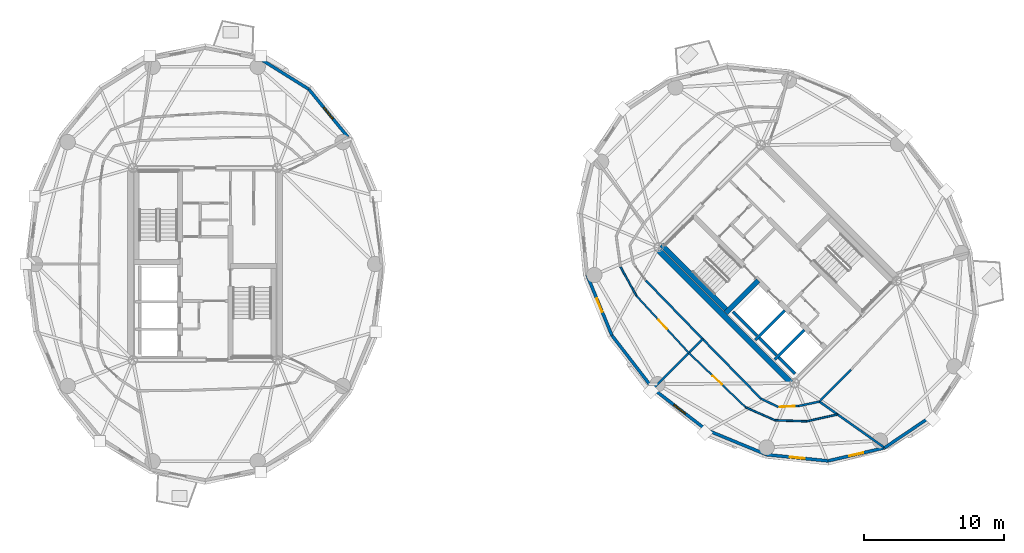
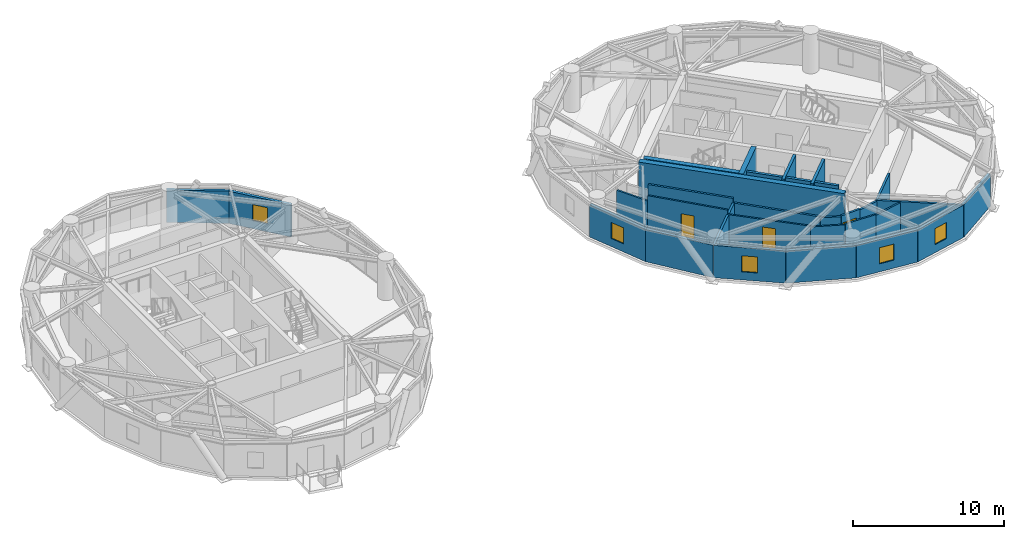
# One storey, part 10 of 16: 31 walls, 5 windows, 3 doors, 8 openings.
"""IFC4 building model written with IfcOpenShell, lengths in metres."""

from ifc_helpers import new_model, si_unit, direction, frame, frame_2d, origin, place, context, subcontext, project, spatial, rectangle, extrude, source, transform, mapped, material, layer, layer_set, type_object, element, fill, save


model = new_model("IFC4")

# Units and contexts
model_context = context("Model", 3, precision=1e-05, world=origin(), true_north=direction((0.0, 1.0)))
body_context = subcontext(model_context, "Body", "Model", "MODEL_VIEW")
ifc_project = project(units=[si_unit("LENGTHUNIT", "METRE"), si_unit("AREAUNIT", "SQUARE_METRE"), si_unit("VOLUMEUNIT", "CUBIC_METRE"), si_unit("PLANEANGLEUNIT", "RADIAN"), si_unit("MASSUNIT", "GRAM", prefix="KILO")], contexts=[model_context])

# Site, building, storey
site_placement = place(None, origin())
site = spatial("IfcSite", under=ifc_project, at=site_placement, CompositionType="ELEMENT")
building_placement = place(site_placement, origin())
building = spatial("IfcBuilding", under=site, at=building_placement, Name="Cununo Teusaquillo Station Towers", CompositionType="ELEMENT")
storey_placement = place(building_placement, frame((0.0, 0.0, 226.050048828125)))
storey = spatial("IfcBuildingStorey", under=building, at=storey_placement, Name="L72", CompositionType="ELEMENT", Elevation=226.050048828125)

# Walls
ifc_material_1 = material(Name="Concrete C50/60", Category="concrete")
ifc_layer_1 = layer(ifc_material_1, 0.199951171875)
ifc_layer_set_1 = layer_set([ifc_layer_1], Name="Concrete C50/60")
wall_type_1 = type_object("IfcWallType", Name="WL-CORE-200", PredefinedType="SHEAR", material=ifc_layer_set_1)
wall_1_placement = place(storey_placement, frame((55.8876953125, 19.0693359375, 0.0), z_axis=(0.0, 0.0, 1.0), x_axis=(0.707106781187, 0.707106781187, 0.0)))
element("IfcWall", 1, at=wall_1_placement, inside=storey, type_object=wall_type_1, Name="L72 Tower B Firefighting Lift Shaft South Shear Wall", PredefinedType="SHEAR", context=body_context, shape_type="SweptSolid", body=[
    extrude(rectangle(XDim=2.969970703125, YDim=0.199951171875, at=frame_2d((1.48486328125, 0.0))), origin(), (0.0, 0.0, 1.0), 3.199951171875),
])
wall_2_placement = place(storey_placement, frame((56.01513671875, 19.366455078125, 0.0), z_axis=(0.0, 0.0, 1.0), x_axis=(-0.707106781187, 0.707106781187, 0.0)))
element("IfcWall", 2, at=wall_2_placement, inside=storey, type_object=wall_type_1, Name="L72 Tower B Firefighting Lift Shaft Rear Shear Wall", PredefinedType="SHEAR", context=body_context, shape_type="SweptSolid", body=[
    extrude(rectangle(XDim=2.43994140625, YDim=0.199951171875, at=frame_2d((1.219970703125, 0.0))), origin(), (0.0, 0.0, 1.0), 3.199951171875),
])
wall_3_placement = place(storey_placement, frame((57.2841796875, 17.6728515625, 0.0), z_axis=(0.0, 0.0, 1.0), x_axis=(0.707147878904, 0.70706568108, 0.0)))
element("IfcWall", 3, at=wall_3_placement, inside=storey, type_object=wall_type_1, Name="L72 Tower B High-Rise Lift Hoistway Divider Shear Wall", PredefinedType="SHEAR", context=body_context, shape_type="SweptSolid", body=[
    extrude(rectangle(XDim=2.97021484375, YDim=0.199951171875, at=frame_2d((1.485107421875, 0.0))), origin(), (0.0, 0.0, 1.0), 3.199951171875),
])
wall_4_placement = place(storey_placement, frame((57.41162109375, 17.969970703125, 0.0), z_axis=(0.0, 0.0, 1.0), x_axis=(-0.707106781187, 0.707106781187, 0.0)))
element("IfcWall", 4, at=wall_4_placement, inside=storey, type_object=wall_type_1, Name="L72 Tower B High-Rise Lift 2 Shaft Rear Shear Wall", PredefinedType="SHEAR", context=body_context, shape_type="SweptSolid", body=[
    extrude(rectangle(XDim=1.73486328125, YDim=0.199951171875, at=frame_2d((0.867431640625, 0.0))), origin(), (0.0, 0.0, 1.0), 3.199951171875),
])
wall_5_placement = place(storey_placement, frame((58.7373046875, 16.64404296875, 0.0), z_axis=(0.0, 0.0, 1.0), x_axis=(-0.707032117043, 0.707181437447, 0.0)))
element("IfcWall", 5, at=wall_5_placement, inside=storey, type_object=wall_type_1, Name="L72 Tower B High-Rise Lift 1 Shaft Rear Shear Wall", PredefinedType="SHEAR", context=body_context, shape_type="SweptSolid", body=[
    extrude(rectangle(XDim=1.635009765625, YDim=0.199951171875, at=frame_2d((0.8173828125, 0.0))), origin(), (0.0, 0.0, 1.0), 3.199951171875),
])
ifc_material_2 = material(Name="Concrete C50/60", Category="concrete")
ifc_layer_2 = layer(ifc_material_2, 0.35009765625)
ifc_layer_set_2 = layer_set([ifc_layer_2], Name="Concrete C50/60")
wall_type_2 = type_object("IfcWallType", Name="WL-CORE-350", PredefinedType="SHEAR", material=ifc_layer_set_2)
wall_6_placement = place(storey_placement, frame((53.922119140625, 21.14111328125, 0.0), z_axis=(0.0, 0.0, 1.0), x_axis=(-0.707106781187, 0.707106781187, 0.0)))
element("IfcWall", 6, at=wall_6_placement, inside=storey, type_object=wall_type_2, Name="L72 Tower B Core Shear Wall ST1W", PredefinedType="SHEAR", context=body_context, shape_type="SweptSolid", body=[
    extrude(rectangle(XDim=6.695068359375, YDim=0.35009765625, at=frame_2d((3.34765625, 0.0))), origin(), (0.0, 0.0, 1.0), 3.199951171875),
])
wall_7_placement = place(storey_placement, frame((53.7841796875, 21.00341796875, 0.0), z_axis=(0.0, 0.0, 1.0), x_axis=(0.707106781187, 0.707106781187, 0.0)))
element("IfcWall", 7, at=wall_7_placement, inside=storey, type_object=wall_type_2, Name="L72 Tower B Core Shear Wall ST1S", PredefinedType="SHEAR", context=body_context, shape_type="SweptSolid", body=[
    extrude(rectangle(XDim=3.284912109375, YDim=0.35009765625, at=frame_2d((1.642578125, 0.0))), origin(), (0.0, 0.0, 1.0), 3.199951171875),
])
ifc_material_3 = material(Name="Concrete C50/60", Category="concrete")
ifc_layer_3 = layer(ifc_material_3, 0.39990234375)
ifc_layer_set_3 = layer_set([ifc_layer_3], Name="Concrete C50/60")
wall_type_3 = type_object("IfcWallType", Name="WL-CORE-400", PredefinedType="SHEAR", material=ifc_layer_set_3)
wall_8_placement = place(storey_placement, frame((58.7021484375, 15.73193359375, 0.0), z_axis=(0.0, 0.0, 1.0), x_axis=(-0.707106781187, 0.707106781187, 0.0)))
element("IfcWall", 8, at=wall_8_placement, inside=storey, type_object=wall_type_3, Name="L72 Tower B Core Shear Wall W", PredefinedType="SHEAR", context=body_context, shape_type="SweptSolid", body=[
    extrude(rectangle(XDim=14.10009765625, YDim=0.39990234375, at=frame_2d((7.050048828125, 0.0))), origin(), (0.0, 0.0, 1.0), 3.199951171875),
])

# Wall, opening, window
ifc_material_4 = material(Name="Precast concrete C40/50", Category="concrete")
ifc_layer_4 = layer(ifc_material_4, 0.219970703125)
ifc_layer_set_4 = layer_set([ifc_layer_4], Name="Precast concrete C40/50")
wall_type_4 = type_object("IfcWallType", Name="WL-EXT-220", PredefinedType="SOLIDWALL", material=ifc_layer_set_4)
wall_9_placement = place(storey_placement, frame((23.923583984375, 37.015380859375, 0.0), z_axis=(0.0, 0.0, 1.0), x_axis=(0.632467166636, -0.774587169483, 0.0)))
wall_9 = element("IfcWall", 9, at=wall_9_placement, inside=storey, type_object=wall_type_4, Name="L72 Tower A Exterior Facade Wall C02", PredefinedType="SOLIDWALL", context=body_context, shape_type="SweptSolid", body=[
    extrude(rectangle(XDim=4.418212890625, YDim=0.219970703125, at=frame_2d((2.208984375, 0.0))), origin(), (0.0, 0.0, 1.0), 2.612060546875),
])
shared_shape_1 = source(origin(), body_context, "Body", "SweptSolid", [
    extrude(rectangle(XDim=1.050048828125, YDim=1.300048828125, at=frame_2d((0.52490234375, 0.64990234375))), frame((0.0, 0.119873046875, 0.0), z_axis=(0.0, -1.0, 0.0), x_axis=(1.0, 0.0, 0.0)), (0.0, 0.0, 1.0), 0.239990234375),
])
opening_1_placement = place(wall_9_placement, frame((1.68408203125, 0.0, 0.64990234375)))
opening_1 = element("IfcOpeningElement", 10, at=opening_1_placement, cuts=wall_9, Name="Opening WN-04", PredefinedType="OPENING", context=body_context, shape_type="MappedRepresentation", body=[
    mapped(shared_shape_1, transform((0.0, 0.0, 0.0), x_axis=(1.0, 0.0, 0.0), y_axis=(0.0, 1.0, 0.0), z_axis=(0.0, 0.0, 1.0), scale=1.0)),
])
ifc_material_5 = material(Name="Operable acoustic tinted low-E double glazing", Category="glass")
window_type = type_object("IfcWindowType", Name="WIN-BAL-1050", PartitioningType="SINGLE_PANEL", PredefinedType="WINDOW", material=ifc_material_5)
shared_shape_2 = source(origin(), body_context, "Body", "SweptSolid", [
    extrude(rectangle(XDim=1.050048828125, YDim=1.300048828125, at=frame_2d((0.52490234375, 0.64990234375))), frame((0.0, 0.030029296875, 0.0), z_axis=(0.0, -1.0, 0.0), x_axis=(1.0, 0.0, 0.0)), (0.0, 0.0, 1.0), 0.06005859375),
])
window_1_placement = place(opening_1_placement, origin())
window_1 = element("IfcWindow", 11, at=window_1_placement, inside=storey, type_object=window_type, Name="L72 Tower A Facade Window C02", OverallHeight=1.300048828125, OverallWidth=1.050048828125, PartitioningType="SINGLE_PANEL", PredefinedType="WINDOW", context=body_context, shape_type="MappedRepresentation", body=[
    mapped(shared_shape_2, transform((0.0, 0.0, 0.0), x_axis=(1.0, 0.0, 0.0), y_axis=(0.0, 1.0, 0.0), z_axis=(0.0, 0.0, 1.0), scale=1.0)),
])
fill(opening_1, window_1)

# Wall
wall_10_placement = place(storey_placement, frame((20.40283203125, 39.212890625, 0.0), z_axis=(0.0, 0.0, 1.0), x_axis=(0.848318713376, -0.529485939886, 0.0)))
element("IfcWall", 12, at=wall_10_placement, inside=storey, type_object=wall_type_4, Name="L72 Tower A Exterior Facade Wall C03", PredefinedType="SOLIDWALL", context=body_context, shape_type="SweptSolid", body=[
    extrude(rectangle(XDim=4.150390625, YDim=0.219970703125, at=frame_2d((2.0751953125, 0.0))), origin(), (0.0, 0.0, 1.0), 2.612060546875),
])

# Wall, opening, window
wall_11_placement = place(storey_placement, frame((45.626220703125, 19.38671875, 0.0), z_axis=(0.0, 0.0, 1.0), x_axis=(-0.381309704956, 0.924447353237, 0.0)))
wall_11 = element("IfcWall", 13, at=wall_11_placement, inside=storey, type_object=wall_type_4, Name="L72 Tower B Exterior Facade Wall C08", PredefinedType="SOLIDWALL", context=body_context, shape_type="SweptSolid", body=[
    extrude(rectangle(XDim=4.670654296875, YDim=0.219970703125, at=frame_2d((2.33544921875, 0.0))), origin(), (0.0, 0.0, 1.0), 2.612060546875),
])
opening_2_placement = place(wall_11_placement, frame((1.81005859375, 0.0, 0.64990234375)))
opening_2 = element("IfcOpeningElement", 14, at=opening_2_placement, cuts=wall_11, Name="Opening WN-04", PredefinedType="OPENING", context=body_context, shape_type="MappedRepresentation", body=[
    mapped(shared_shape_1, transform((0.0, 0.0, 0.0), x_axis=(1.0, 0.0, 0.0), y_axis=(0.0, 1.0, 0.0), z_axis=(0.0, 0.0, 1.0), scale=1.0)),
])
window_2_placement = place(opening_2_placement, origin())
window_2 = element("IfcWindow", 15, at=window_2_placement, inside=storey, type_object=window_type, Name="L72 Tower B Facade Window C08", OverallHeight=1.300048828125, OverallWidth=1.050048828125, PartitioningType="SINGLE_PANEL", PredefinedType="WINDOW", context=body_context, shape_type="MappedRepresentation", body=[
    mapped(shared_shape_2, transform((0.0, 0.0, 0.0), x_axis=(1.0, 0.0, 0.0), y_axis=(0.0, 1.0, 0.0), z_axis=(0.0, 0.0, 1.0), scale=1.0)),
])
fill(opening_2, window_2)

# Wall
wall_12_placement = place(storey_placement, frame((48.569091796875, 15.569091796875, 0.0), z_axis=(0.0, 0.0, 1.0), x_axis=(-0.610523083886, 0.791998462147, 0.0)))
element("IfcWall", 16, at=wall_12_placement, inside=storey, type_object=wall_type_4, Name="L72 Tower B Exterior Facade Wall C09", PredefinedType="SOLIDWALL", context=body_context, shape_type="SweptSolid", body=[
    extrude(rectangle(XDim=4.8203125, YDim=0.219970703125, at=frame_2d((2.41015625, 0.0))), origin(), (0.0, 0.0, 1.0), 2.612060546875),
])

# Wall, opening, window
wall_13_placement = place(storey_placement, frame((52.38671875, 12.626220703125, 0.0), z_axis=(0.0, 0.0, 1.0), x_axis=(-0.791998462147, 0.610523083886, 0.0)))
wall_13 = element("IfcWall", 17, at=wall_13_placement, inside=storey, type_object=wall_type_4, Name="L72 Tower B Exterior Facade Wall C10", PredefinedType="SOLIDWALL", context=body_context, shape_type="SweptSolid", body=[
    extrude(rectangle(XDim=4.8203125, YDim=0.219970703125, at=frame_2d((2.41015625, 0.0))), origin(), (0.0, 0.0, 1.0), 2.612060546875),
])
opening_3_placement = place(wall_13_placement, frame((1.885009765625, 0.0, 0.64990234375)))
opening_3 = element("IfcOpeningElement", 18, at=opening_3_placement, cuts=wall_13, Name="Opening WN-04", PredefinedType="OPENING", context=body_context, shape_type="MappedRepresentation", body=[
    mapped(shared_shape_1, transform((0.0, 0.0, 0.0), x_axis=(1.0, 0.0, 0.0), y_axis=(0.0, 1.0, 0.0), z_axis=(0.0, 0.0, 1.0), scale=1.0)),
])
window_3_placement = place(opening_3_placement, origin())
window_3 = element("IfcWindow", 19, at=window_3_placement, inside=storey, type_object=window_type, Name="L72 Tower B Facade Window C10", OverallHeight=1.300048828125, OverallWidth=1.050048828125, PartitioningType="SINGLE_PANEL", PredefinedType="WINDOW", context=body_context, shape_type="MappedRepresentation", body=[
    mapped(shared_shape_2, transform((0.0, 0.0, 0.0), x_axis=(1.0, 0.0, 0.0), y_axis=(0.0, 1.0, 0.0), z_axis=(0.0, 0.0, 1.0), scale=1.0)),
])
fill(opening_3, window_3)

# Wall
wall_14_placement = place(storey_placement, frame((56.70458984375, 10.84521484375, 0.0), z_axis=(0.0, 0.0, 1.0), x_axis=(-0.924447353237, 0.381309704956, 0.0)))
element("IfcWall", 20, at=wall_14_placement, inside=storey, type_object=wall_type_4, Name="L72 Tower B Exterior Facade Wall C11", PredefinedType="SOLIDWALL", context=body_context, shape_type="SweptSolid", body=[
    extrude(rectangle(XDim=4.670654296875, YDim=0.219970703125, at=frame_2d((2.33544921875, 0.0))), origin(), (0.0, 0.0, 1.0), 2.612060546875),
])

# Wall, opening, window
wall_15_placement = place(storey_placement, frame((61.100341796875, 10.40087890625, 0.0), z_axis=(0.0, 0.0, 1.0), x_axis=(-0.994929930991, 0.100570534541, 0.0)))
wall_15 = element("IfcWall", 21, at=wall_15_placement, inside=storey, type_object=wall_type_4, Name="L72 Tower B Exterior Facade Wall C12", PredefinedType="SOLIDWALL", context=body_context, shape_type="SweptSolid", body=[
    extrude(rectangle(XDim=4.418212890625, YDim=0.219970703125, at=frame_2d((2.208984375, 0.0))), origin(), (0.0, 0.0, 1.0), 2.612060546875),
])
opening_4_placement = place(wall_15_placement, frame((1.68408203125, 0.0, 0.64990234375)))
opening_4 = element("IfcOpeningElement", 22, at=opening_4_placement, cuts=wall_15, Name="Opening WN-04", PredefinedType="OPENING", context=body_context, shape_type="MappedRepresentation", body=[
    mapped(shared_shape_1, transform((0.0, 0.0, 0.0), x_axis=(1.0, 0.0, 0.0), y_axis=(0.0, 1.0, 0.0), z_axis=(0.0, 0.0, 1.0), scale=1.0)),
])
window_4_placement = place(opening_4_placement, origin())
window_4 = element("IfcWindow", 23, at=window_4_placement, inside=storey, type_object=window_type, Name="L72 Tower B Facade Window C12", OverallHeight=1.300048828125, OverallWidth=1.050048828125, PartitioningType="SINGLE_PANEL", PredefinedType="WINDOW", context=body_context, shape_type="MappedRepresentation", body=[
    mapped(shared_shape_2, transform((0.0, 0.0, 0.0), x_axis=(1.0, 0.0, 0.0), y_axis=(0.0, 1.0, 0.0), z_axis=(0.0, 0.0, 1.0), scale=1.0)),
])
fill(opening_4, window_4)

wall_16_placement = place(storey_placement, frame((65.143798828125, 11.336669921875, 0.0), z_axis=(0.0, 0.0, 1.0), x_axis=(-0.974249228678, -0.225473813158, 0.0)))
wall_16 = element("IfcWall", 24, at=wall_16_placement, inside=storey, type_object=wall_type_4, Name="L72 Tower B Exterior Facade Wall C13", PredefinedType="SOLIDWALL", context=body_context, shape_type="SweptSolid", body=[
    extrude(rectangle(XDim=4.150390625, YDim=0.219970703125, at=frame_2d((2.0751953125, 0.0))), origin(), (0.0, 0.0, 1.0), 2.612060546875),
])
opening_5_placement = place(wall_16_placement, frame((1.550048828125, 0.0, 0.64990234375)))
opening_5 = element("IfcOpeningElement", 25, at=opening_5_placement, cuts=wall_16, Name="Opening WN-04", PredefinedType="OPENING", context=body_context, shape_type="MappedRepresentation", body=[
    mapped(shared_shape_1, transform((0.0, 0.0, 0.0), x_axis=(1.0, 0.0, 0.0), y_axis=(0.0, 1.0, 0.0), z_axis=(0.0, 0.0, 1.0), scale=1.0)),
])
window_5_placement = place(opening_5_placement, origin())
window_5 = element("IfcWindow", 26, at=window_5_placement, inside=storey, type_object=window_type, Name="L72 Tower B Facade Window C13", OverallHeight=1.300048828125, OverallWidth=1.050048828125, PartitioningType="SINGLE_PANEL", PredefinedType="WINDOW", context=body_context, shape_type="MappedRepresentation", body=[
    mapped(shared_shape_2, transform((0.0, 0.0, 0.0), x_axis=(1.0, 0.0, 0.0), y_axis=(0.0, 1.0, 0.0), z_axis=(0.0, 0.0, 1.0), scale=1.0)),
])
fill(opening_5, window_5)

# Walls
wall_17_placement = place(storey_placement, frame((68.43896484375, 13.56103515625, 0.0), z_axis=(0.0, 0.0, 1.0), x_axis=(-0.828833723692, -0.559495003079, 0.0)))
element("IfcWall", 27, at=wall_17_placement, inside=storey, type_object=wall_type_4, Name="L72 Tower B Exterior Facade Wall C14", PredefinedType="SOLIDWALL", context=body_context, shape_type="SweptSolid", body=[
    extrude(rectangle(XDim=3.9755859375, YDim=0.219970703125, at=frame_2d((1.98779296875, 0.0))), origin(), (0.0, 0.0, 1.0), 2.612060546875),
])
ifc_material_6 = material(Name="Fire-rated gypsum plasterboard partition assembly", Category="gypsum")
ifc_layer_5 = layer(ifc_material_6, 0.125)
ifc_layer_set_5 = layer_set([ifc_layer_5], Name="Fire-rated gypsum plasterboard partition assembly")
wall_type_5 = type_object("IfcWallType", Name="WL-PART-125", PredefinedType="PARTITIONING", material=ifc_layer_set_5)
wall_18_placement = place(storey_placement, frame((46.239501953125, 24.306884765625, 0.0), z_axis=(0.0, 0.0, 1.0), x_axis=(0.479212341296, -0.87769899849, 0.0)))
element("IfcWall", 28, at=wall_18_placement, inside=storey, type_object=wall_type_5, Name="L72 Tower B Chef Tasting Counter & Wine Vault Concentric Partition Wall C08", PredefinedType="PARTITIONING", context=body_context, shape_type="SweptSolid", body=[
    extrude(rectangle(XDim=2.3740234375, YDim=0.125, at=frame_2d((1.18701171875, 0.0))), origin(), (0.0, 0.0, 1.0), 2.544921875),
])

# Wall, opening, door
wall_19_placement = place(storey_placement, frame((47.377197265625, 22.22314453125, 0.0), z_axis=(0.0, 0.0, 1.0), x_axis=(0.676554417653, -0.736392639802, 0.0)))
wall_19 = element("IfcWall", 29, at=wall_19_placement, inside=storey, type_object=wall_type_5, Name="L72 Tower B Chef Tasting Counter & Wine Vault Concentric Partition Wall C09", PredefinedType="PARTITIONING", context=body_context, shape_type="SweptSolid", body=[
    extrude(rectangle(XDim=5.552978515625, YDim=0.125, at=frame_2d((2.7763671875, 0.0))), origin(), (0.0, 0.0, 1.0), 2.974853515625),
])
shared_shape_3 = source(origin(), body_context, "Body", "SweptSolid", [
    extrude(rectangle(XDim=0.89990234375, YDim=2.0048828125, at=frame_2d((0.449951171875, 1.00244140625))), frame((0.0, 0.072509765625, 0.0), z_axis=(0.0, -1.0, 0.0), x_axis=(1.0, 0.0, 0.0)), (0.0, 0.0, 1.0), 0.14501953125),
])
opening_6_placement = place(wall_19_placement, frame((2.326416015625, 0.0, 0.0)))
opening_6 = element("IfcOpeningElement", 30, at=opening_6_placement, cuts=wall_19, Name="Opening D-IN1", PredefinedType="OPENING", context=body_context, shape_type="MappedRepresentation", body=[
    mapped(shared_shape_3, transform((0.0, 0.0, 0.0), x_axis=(1.0, 0.0, 0.0), y_axis=(0.0, 1.0, 0.0), z_axis=(0.0, 0.0, 1.0), scale=1.0)),
])
ifc_material_7 = material(Name="Acoustic solid-core hardwood leaf assembly", Category="wood")
door_type_1 = type_object("IfcDoorType", Name="DR-INT-900", OperationType="NOTDEFINED", PredefinedType="DOOR", material=ifc_material_7)
shared_shape_4 = source(origin(), body_context, "Body", "SweptSolid", [
    extrude(rectangle(XDim=0.89990234375, YDim=2.0048828125, at=frame_2d((0.449951171875, 1.00244140625))), frame((0.0, 0.02490234375, 0.0), z_axis=(0.0, -1.0, 0.0), x_axis=(1.0, 0.0, 0.0)), (0.0, 0.0, 1.0), 0.050048828125),
])
door_1_placement = place(opening_6_placement, origin())
door_1 = element("IfcDoor", 31, at=door_1_placement, inside=storey, type_object=door_type_1, Name="L72 Tower B Chef Tasting Counter & Wine Vault Connecting Door", OperationType="SINGLE_SWING_RIGHT", OverallHeight=2.0048828125, OverallWidth=0.89990234375, PredefinedType="DOOR", context=body_context, shape_type="MappedRepresentation", body=[
    mapped(shared_shape_4, transform((0.0, 0.0, 0.0), x_axis=(1.0, 0.0, 0.0), y_axis=(0.0, 1.0, 0.0), z_axis=(0.0, 0.0, 1.0), scale=1.0)),
])
fill(opening_6, door_1)

wall_20_placement = place(storey_placement, frame((51.134033203125, 18.134033203125, 0.0), z_axis=(0.0, 0.0, 1.0), x_axis=(0.722450775654, -0.691422357721, 0.0)))
wall_20 = element("IfcWall", 32, at=wall_20_placement, inside=storey, type_object=wall_type_5, Name="L72 Tower B Sabana Sunset Cocktail Lounge Concentric Partition Wall C10", PredefinedType="PARTITIONING", context=body_context, shape_type="SweptSolid", body=[
    extrude(rectangle(XDim=5.6337890625, YDim=0.125, at=frame_2d((2.81689453125, 0.0))), origin(), (0.0, 0.0, 1.0), 2.612060546875),
])
opening_7_placement = place(wall_20_placement, frame((2.366943359375, 0.0, 0.0)))
opening_7 = element("IfcOpeningElement", 33, at=opening_7_placement, cuts=wall_20, Name="Opening D-IN1", PredefinedType="OPENING", context=body_context, shape_type="MappedRepresentation", body=[
    mapped(shared_shape_3, transform((0.0, 0.0, 0.0), x_axis=(1.0, 0.0, 0.0), y_axis=(0.0, 1.0, 0.0), z_axis=(0.0, 0.0, 1.0), scale=1.0)),
])
door_2_placement = place(opening_7_placement, origin())
door_2 = element("IfcDoor", 34, at=door_2_placement, inside=storey, type_object=door_type_1, Name="L72 Tower B Sabana Sunset Cocktail Lounge Connecting Door", OperationType="SINGLE_SWING_RIGHT", OverallHeight=2.0048828125, OverallWidth=0.89990234375, PredefinedType="DOOR", context=body_context, shape_type="MappedRepresentation", body=[
    mapped(shared_shape_4, transform((0.0, 0.0, 0.0), x_axis=(1.0, 0.0, 0.0), y_axis=(0.0, 1.0, 0.0), z_axis=(0.0, 0.0, 1.0), scale=1.0)),
])
fill(opening_7, door_2)

# Walls
wall_21_placement = place(storey_placement, frame((55.2041015625, 14.23876953125, 0.0), z_axis=(0.0, 0.0, 1.0), x_axis=(0.914999746908, -0.403454412738, 0.0)))
element("IfcWall", 35, at=wall_21_placement, inside=storey, type_object=wall_type_5, Name="L72 Tower B Sabana Sunset Cocktail Lounge Concentric Partition Wall C11", PredefinedType="PARTITIONING", context=body_context, shape_type="SweptSolid", body=[
    extrude(rectangle(XDim=2.297119140625, YDim=0.125, at=frame_2d((1.1484375, 0.0))), origin(), (0.0, 0.0, 1.0), 2.544921875),
])
wall_22_placement = place(storey_placement, frame((57.305908203125, 13.31201171875, 0.0), z_axis=(0.0, 0.0, 1.0), x_axis=(0.999437122872, -0.033547539789, 0.0)))
element("IfcWall", 36, at=wall_22_placement, inside=storey, type_object=wall_type_5, Name="L72 Tower B Sabana Sunset Cocktail Lounge Concentric Partition Wall C12", PredefinedType="PARTITIONING", context=body_context, shape_type="SweptSolid", body=[
    extrude(rectangle(XDim=2.2705078125, YDim=0.125, at=frame_2d((1.13525390625, 0.0))), origin(), (0.0, 0.0, 1.0), 2.612060546875),
])
wall_23_placement = place(storey_placement, frame((59.5751953125, 13.23583984375, 0.0), z_axis=(0.0, 0.0, 1.0), x_axis=(0.97628336492, 0.216496631337, 0.0)))
element("IfcWall", 37, at=wall_23_placement, inside=storey, type_object=wall_type_5, Name="L72 Tower B Sabana Sunset Cocktail Lounge Concentric Partition Wall C13", PredefinedType="PARTITIONING", context=body_context, shape_type="SweptSolid", body=[
    extrude(rectangle(XDim=2.264404296875, YDim=0.125, at=frame_2d((1.13232421875, 0.0))), origin(), (0.0, 0.0, 1.0), 2.544921875),
])
ifc_material_8 = material(Name="Fire-rated gypsum plasterboard partition assembly", Category="gypsum")
ifc_layer_6 = layer(ifc_material_8, 0.14990234375)
ifc_layer_set_6 = layer_set([ifc_layer_6], Name="Fire-rated gypsum plasterboard partition assembly")
wall_type_6 = type_object("IfcWallType", Name="WL-PART-150", PredefinedType="PARTITIONING", material=ifc_layer_set_6)
wall_24_placement = place(storey_placement, frame((48.051513671875, 23.32275390625, 0.0), z_axis=(0.0, 0.0, 1.0), x_axis=(0.696573981306, -0.717484974454, 0.0)))
element("IfcWall", 38, at=wall_24_placement, inside=storey, type_object=wall_type_6, Name="L72 Tower B Corridor Ring Wall C09", PredefinedType="PARTITIONING", context=body_context, shape_type="SweptSolid", body=[
    extrude(rectangle(XDim=5.849365234375, YDim=0.14990234375, at=frame_2d((2.9248046875, 0.0))), origin(), (0.0, 0.0, 1.0), 2.974853515625),
])
wall_25_placement = place(storey_placement, frame((52.1259765625, 19.1259765625, 0.0), z_axis=(0.0, 0.0, 1.0), x_axis=(0.698979087027, -0.715142108884, 0.0)))
element("IfcWall", 39, at=wall_25_placement, inside=storey, type_object=wall_type_6, Name="L72 Tower B Corridor Ring Wall C10", PredefinedType="PARTITIONING", context=body_context, shape_type="SweptSolid", body=[
    extrude(rectangle(XDim=5.96630859375, YDim=0.14990234375, at=frame_2d((2.983154296875, 0.0))), origin(), (0.0, 0.0, 1.0), 2.612060546875),
])
wall_26_placement = place(storey_placement, frame((56.29638671875, 14.859130859375, 0.0), z_axis=(0.0, 0.0, 1.0), x_axis=(0.90178292445, -0.432189260823, 0.0)))
element("IfcWall", 40, at=wall_26_placement, inside=storey, type_object=wall_type_6, Name="L72 Tower B Corridor Ring Wall C11", PredefinedType="PARTITIONING", context=body_context, shape_type="SweptSolid", body=[
    extrude(rectangle(XDim=1.377197265625, YDim=0.14990234375, at=frame_2d((0.6884765625, 0.0))), origin(), (0.0, 0.0, 1.0), 2.544921875),
])

# Wall, opening, door
wall_27_placement = place(storey_placement, frame((57.538330078125, 14.263916015625, 0.0), z_axis=(0.0, 0.0, 1.0), x_axis=(0.99892990172, 0.046249880546, 0.0)))
wall_27 = element("IfcWall", 41, at=wall_27_placement, inside=storey, type_object=wall_type_6, Name="L72 Tower B Corridor Ring Wall C12", PredefinedType="PARTITIONING", context=body_context, shape_type="SweptSolid", body=[
    extrude(rectangle(XDim=1.4462890625, YDim=0.14990234375, at=frame_2d((0.72314453125, 0.0))), origin(), (0.0, 0.0, 1.0), 2.612060546875),
])
shared_shape_5 = source(origin(), body_context, "Body", "SweptSolid", [
    extrude(rectangle(XDim=1.050048828125, YDim=2.014892578125, at=frame_2d((0.52490234375, 1.00732421875))), frame((0.0, 0.0849609375, 0.0), z_axis=(0.0, -1.0, 0.0), x_axis=(1.0, 0.0, 0.0)), (0.0, 0.0, 1.0), 0.169921875),
])
opening_8_placement = place(wall_27_placement, frame((0.1201171875, 0.0, 0.0)))
opening_8 = element("IfcOpeningElement", 42, at=opening_8_placement, cuts=wall_27, Name="Opening D-SU1", PredefinedType="OPENING", context=body_context, shape_type="MappedRepresentation", body=[
    mapped(shared_shape_5, transform((0.0, 0.0, 0.0), x_axis=(1.0, 0.0, 0.0), y_axis=(0.0, 1.0, 0.0), z_axis=(0.0, 0.0, 1.0), scale=1.0)),
])
ifc_material_9 = material(Name="Acoustic solid-core hardwood leaf assembly", Category="wood")
door_type_2 = type_object("IfcDoorType", Name="DR-SUITE-1050", OperationType="NOTDEFINED", PredefinedType="DOOR", material=ifc_material_9)
shared_shape_6 = source(origin(), body_context, "Body", "SweptSolid", [
    extrude(rectangle(XDim=1.050048828125, YDim=2.014892578125, at=frame_2d((0.52490234375, 1.00732421875))), frame((0.0, 0.02490234375, 0.0), z_axis=(0.0, -1.0, 0.0), x_axis=(1.0, 0.0, 0.0)), (0.0, 0.0, 1.0), 0.050048828125),
])
door_3_placement = place(opening_8_placement, origin())
door_3 = element("IfcDoor", 43, at=door_3_placement, inside=storey, type_object=door_type_2, Name="L72 Tower B Sabana Sunset Cocktail Lounge Entrance Door", OperationType="SINGLE_SWING_LEFT", OverallHeight=2.014892578125, OverallWidth=1.050048828125, PredefinedType="DOOR", context=body_context, shape_type="MappedRepresentation", body=[
    mapped(shared_shape_6, transform((0.0, 0.0, 0.0), x_axis=(1.0, 0.0, 0.0), y_axis=(0.0, 1.0, 0.0), z_axis=(0.0, 0.0, 1.0), scale=1.0)),
])
fill(opening_8, door_3)

# Walls
wall_28_placement = place(storey_placement, frame((58.983154296875, 14.330810546875, 0.0), z_axis=(0.0, 0.0, 1.0), x_axis=(0.978328007546, 0.207061125397, 0.0)))
element("IfcWall", 44, at=wall_28_placement, inside=storey, type_object=wall_type_6, Name="L72 Tower B Corridor Ring Wall C13", PredefinedType="PARTITIONING", context=body_context, shape_type="SweptSolid", body=[
    extrude(rectangle(XDim=1.533935546875, YDim=0.14990234375, at=frame_2d((0.76708984375, 0.0))), origin(), (0.0, 0.0, 1.0), 2.544921875),
])
wall_29_placement = place(storey_placement, frame((60.48388671875, 14.6484375, 0.0), z_axis=(0.0, 0.0, 1.0), x_axis=(0.703398221944, 0.710795991383, 0.0)))
element("IfcWall", 45, at=wall_29_placement, inside=storey, type_object=wall_type_6, Name="L72 Tower B Corridor Ring Wall C14", PredefinedType="PARTITIONING", context=body_context, shape_type="SweptSolid", body=[
    extrude(rectangle(XDim=3.201171875, YDim=0.14990234375, at=frame_2d((1.6005859375, 0.0))), origin(), (0.0, 0.0, 1.0), 2.612060546875),
])
ifc_material_10 = material(Name="Fire-rated gypsum plasterboard partition assembly", Category="gypsum")
ifc_layer_7 = layer(ifc_material_10, 0.159912109375)
ifc_layer_set_7 = layer_set([ifc_layer_7], Name="Fire-rated gypsum plasterboard partition assembly")
wall_type_7 = type_object("IfcWallType", Name="WL-PART-160", PredefinedType="PARTITIONING", material=ifc_layer_set_7)
wall_30_placement = place(storey_placement, frame((52.1259765625, 19.1259765625, 0.0), z_axis=(0.0, 0.0, 1.0), x_axis=(-0.707106781187, -0.707106781187, 0.0)))
element("IfcWall", 46, at=wall_30_placement, inside=storey, type_object=wall_type_7, Name="L72 Tower B Radial Suite Partition R03", PredefinedType="PARTITIONING", context=body_context, shape_type="SweptSolid", body=[
    extrude(rectangle(XDim=5.009765625, YDim=0.159912109375, at=frame_2d((2.5048828125, 0.0))), origin(), (0.0, 0.0, 1.0), 2.612060546875),
])
wall_31_placement = place(storey_placement, frame((60.48388671875, 14.6484375, 0.0), z_axis=(0.0, 0.0, 1.0), x_axis=(0.81605983932, -0.577967420058, 0.0)))
element("IfcWall", 47, at=wall_31_placement, inside=storey, type_object=wall_type_7, Name="L72 Tower B Radial Suite Partition R04", PredefinedType="PARTITIONING", context=body_context, shape_type="SweptSolid", body=[
    extrude(rectangle(XDim=5.69921875, YDim=0.159912109375, at=frame_2d((2.849609375, 0.0))), origin(), (0.0, 0.0, 1.0), 2.612060546875),
])

save(model, "model.ifc")
